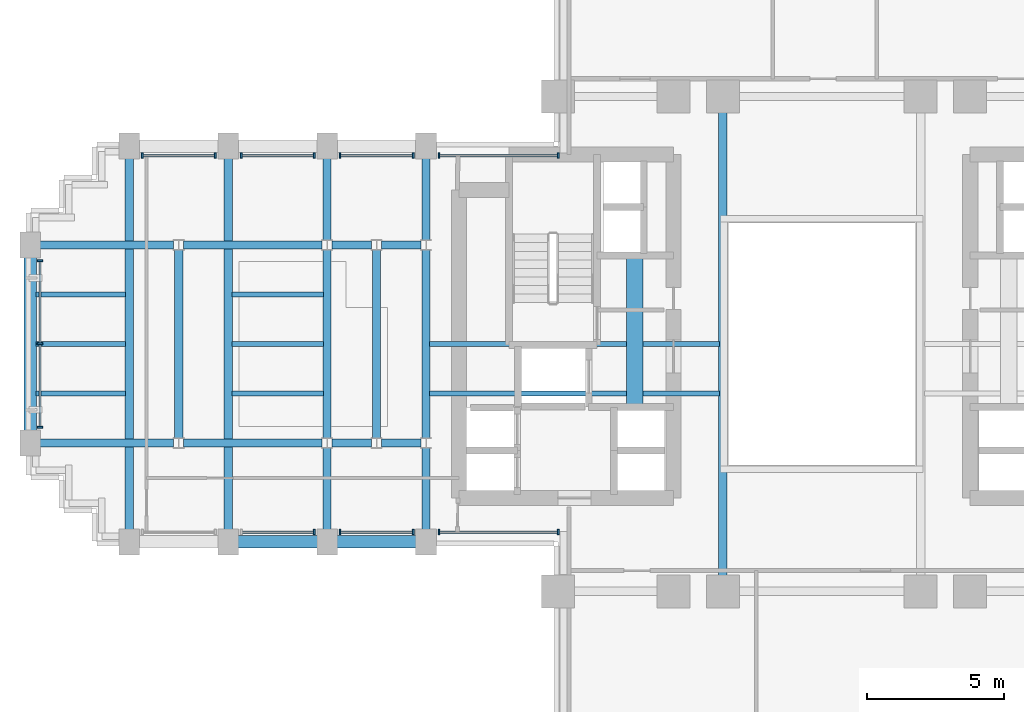
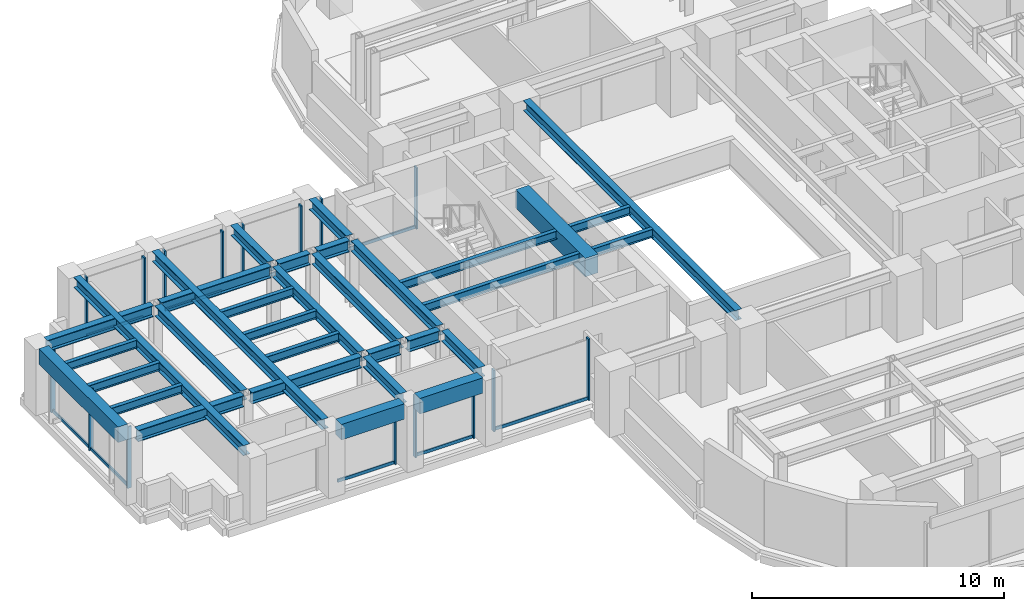
# One storey, part 4 of 16: 31 beams, 25 members, 8 elements without a shape of their own.
"""IFC4 building model written with IfcOpenShell, lengths in metres."""

from ifc_helpers import new_model, si_unit, direction, frame, origin, origin_2d, place, context, subcontext, project, spatial, rectangle, i_section, extrude, source, transform, mapped, material, material_profile, profile_set, type_object, element, aggregate, save


model = new_model("IFC4")

# Units and contexts
model_context = context("Model", 3, precision=1e-05, world=origin(), true_north=direction((0.0, 1.0)))
body_context = subcontext(model_context, "Body", "Model", "MODEL_VIEW")
ifc_project = project(units=[si_unit("LENGTHUNIT", "METRE"), si_unit("AREAUNIT", "SQUARE_METRE"), si_unit("VOLUMEUNIT", "CUBIC_METRE"), si_unit("PLANEANGLEUNIT", "RADIAN"), si_unit("MASSUNIT", "GRAM", prefix="KILO")], contexts=[model_context])

# Site, building, storey
site_placement = place(None, origin())
site = spatial("IfcSite", under=ifc_project, at=site_placement, CompositionType="ELEMENT")
building_placement = place(site_placement, origin())
building = spatial("IfcBuilding", under=site, at=building_placement, Name="Keilestroom Media Tower", CompositionType="ELEMENT")
storey_placement = place(building_placement, frame((0.0, 0.0, 30.60009765625)))
storey = spatial("IfcBuildingStorey", under=building, at=storey_placement, Name="L06", CompositionType="ELEMENT", Elevation=30.60009765625)

# Beams
ifc_material_1 = material(Name="Concrete C70/85", Category="concrete")
ifc_material_profile_1 = material_profile(ifc_material_1, rectangle(XDim=0.60009765625, YDim=0.89990234375, at=origin_2d()), Name="RC 600x900")
ifc_profile_set_1 = profile_set([ifc_material_profile_1], Name="Concrete C70/85")
beam_type_1 = type_object("IfcBeamType", Name="Core-Coupling-Lintel-Beam-RC-600x900", PredefinedType="LINTEL", material=ifc_profile_set_1)
shared_shape_1 = source(origin(), body_context, "Body", "SweptSolid", [
    extrude(rectangle(XDim=0.60009765625, YDim=0.89990234375, at=origin_2d()), origin(), (0.0, 0.0, 1.0), 5.52001953125),
])
beam_1_placement = place(storey_placement, frame((-6.800048828125, -2.300048828125, 2.75), z_axis=(0.0, 1.0, 0.0), x_axis=(-1.0, 0.0, 0.0)))
element("IfcBeam", 1, at=beam_1_placement, inside=storey, type_object=beam_type_1, Name="L06 Beam CLB-1 CLB-L06-W", PredefinedType="LINTEL", context=body_context, shape_type="MappedRepresentation", body=[
    mapped(shared_shape_1, transform((0.0, 0.0, 0.0), x_axis=(1.0, 0.0, 0.0), y_axis=(0.0, 1.0, 0.0), z_axis=(0.0, 0.0, 1.0), scale=1.0)),
])
ifc_material_2 = material(Name="Precast concrete C40/50", Category="concrete")
ifc_material_profile_2 = material_profile(ifc_material_2, rectangle(XDim=0.449951171875, YDim=0.75, at=origin_2d()), Name="PC 450x750")
ifc_profile_set_2 = profile_set([ifc_material_profile_2], Name="Precast concrete C40/50")
beam_type_2 = type_object("IfcBeamType", Name="Perimeter-Spandrel-Beam-PC-450x750", PredefinedType="SPANDREL", material=ifc_profile_set_2)
shared_shape_2 = source(origin(), body_context, "Body", "SweptSolid", [
    extrude(rectangle(XDim=0.449951171875, YDim=0.75, at=origin_2d()), origin(), (0.0, 0.0, 1.0), 6.2900390625),
])
beam_2_placement = place(storey_placement, frame((-28.800048828125, -3.14501953125, 2.824951171875), z_axis=(0.0, 1.0, 0.0), x_axis=(-1.0, 0.0, 0.0)))
element("IfcBeam", 2, at=beam_2_placement, inside=storey, type_object=beam_type_2, Name="L06 Beam SPB-1 BM-L06-NS-051", PredefinedType="SPANDREL", context=body_context, shape_type="MappedRepresentation", body=[
    mapped(shared_shape_2, transform((0.0, 0.0, 0.0), x_axis=(1.0, 0.0, 0.0), y_axis=(0.0, 1.0, 0.0), z_axis=(0.0, 0.0, 1.0), scale=1.0)),
])
shared_shape_3 = source(origin(), body_context, "Body", "SweptSolid", [
    extrude(rectangle(XDim=0.449951171875, YDim=0.75, at=origin_2d()), origin(), (0.0, 0.0, 1.0), 2.89013671875),
])
for number, where, z_axis, x_axis, name in (
    (3, (-21.2451171875, -7.199951171875, 2.824951171875), (1.0, 0.0, 0.0), (0.0, 1.0, 0.0), "L06 Beam SPB-1 BM-L06-EW-013"),
    (4, (-17.64501953125, -7.199951171875, 2.824951171875), (1.0, 0.0, 0.0), (0.0, 1.0, 0.0), "L06 Beam SPB-1 BM-L06-EW-014"),
):
    element("IfcBeam", number, at=place(storey_placement, frame(where, z_axis=z_axis, x_axis=x_axis)), inside=storey, type_object=beam_type_2, Name=name, PredefinedType="SPANDREL", context=body_context, shape_type="MappedRepresentation", body=[
        mapped(shared_shape_3, transform((0.0, 0.0, 0.0), x_axis=(1.0, 0.0, 0.0), y_axis=(0.0, 1.0, 0.0), z_axis=(0.0, 0.0, 1.0), scale=1.0)),
    ])
ifc_material_3 = material(Name="Steel S355", Category="steel")
ifc_material_profile_3 = material_profile(ifc_material_3, i_section(OverallWidth=0.300048828125, OverallDepth=0.550048828125, WebThickness=0.012939453125, FlangeThickness=0.029052734375, at=origin_2d()), Name="HEB 550")
ifc_profile_set_3 = profile_set([ifc_material_profile_3], Name="Steel S355")
beam_type_3 = type_object("IfcBeamType", Name="Primary-Structural-Girder-HEB-550", PredefinedType="BEAM", material=ifc_profile_set_3)
shared_shape_4 = source(origin(), body_context, "Body", "SweptSolid", [
    extrude(i_section(OverallWidth=0.300048828125, OverallDepth=0.550048828125, WebThickness=0.012939453125, FlangeThickness=0.029052734375, at=origin_2d()), origin(), (0.0, 0.0, 1.0), 4.863037109375),
])
for number, where, z_axis, x_axis, name in (
    (5, (-28.445068359375, -3.60009765625, 2.9248046875), (1.0, 0.0, 0.0), (0.0, 1.0, 0.0), "L06 Beam BG-5 BM-L06-EW-018"),
    (6, (-28.445068359375, 3.60009765625, 2.9248046875), (1.0, 0.0, 0.0), (0.0, 1.0, 0.0), "L06 Beam BG-5 BM-L06-EW-026"),
):
    element("IfcBeam", number, at=place(storey_placement, frame(where, z_axis=z_axis, x_axis=x_axis)), inside=storey, type_object=beam_type_3, Name=name, PredefinedType="BEAM", context=body_context, shape_type="MappedRepresentation", body=[
        mapped(shared_shape_4, transform((0.0, 0.0, 0.0), x_axis=(1.0, 0.0, 0.0), y_axis=(0.0, 1.0, 0.0), z_axis=(0.0, 0.0, 1.0), scale=1.0)),
    ])
shared_shape_5 = source(origin(), body_context, "Body", "SweptSolid", [
    extrude(i_section(OverallWidth=0.300048828125, OverallDepth=0.550048828125, WebThickness=0.012939453125, FlangeThickness=0.029052734375, at=origin_2d()), origin(), (0.0, 0.0, 1.0), 5.0361328125),
])
for number, where, z_axis, x_axis, name in (
    (7, (-23.218017578125, -3.60009765625, 2.9248046875), (1.0, 0.0, 0.0), (0.0, 1.0, 0.0), "L06 Beam BG-5 BM-L06-EW-019"),
    (8, (-23.218017578125, 3.60009765625, 2.9248046875), (1.0, 0.0, 0.0), (0.0, 1.0, 0.0), "L06 Beam BG-5 BM-L06-EW-027"),
):
    element("IfcBeam", number, at=place(storey_placement, frame(where, z_axis=z_axis, x_axis=x_axis)), inside=storey, type_object=beam_type_3, Name=name, PredefinedType="BEAM", context=body_context, shape_type="MappedRepresentation", body=[
        mapped(shared_shape_5, transform((0.0, 0.0, 0.0), x_axis=(1.0, 0.0, 0.0), y_axis=(0.0, 1.0, 0.0), z_axis=(0.0, 0.0, 1.0), scale=1.0)),
    ])
shared_shape_6 = source(origin(), body_context, "Body", "SweptSolid", [
    extrude(i_section(OverallWidth=0.300048828125, OverallDepth=0.550048828125, WebThickness=0.012939453125, FlangeThickness=0.029052734375, at=origin_2d()), origin(), (0.0, 0.0, 1.0), 1.43603515625),
])
for number, where, z_axis, x_axis, name in (
    (9, (-17.818115234375, -3.60009765625, 2.9248046875), (1.0, 0.0, 0.0), (0.0, 1.0, 0.0), "L06 Beam BG-5 BM-L06-EW-020"),
    (10, (-16.01806640625, -3.60009765625, 2.9248046875), (1.0, 0.0, 0.0), (0.0, 1.0, 0.0), "L06 Beam BG-5 BM-L06-EW-021"),
    (11, (-17.818115234375, 3.60009765625, 2.9248046875), (1.0, 0.0, 0.0), (0.0, 1.0, 0.0), "L06 Beam BG-5 BM-L06-EW-028"),
    (12, (-16.01806640625, 3.60009765625, 2.9248046875), (1.0, 0.0, 0.0), (0.0, 1.0, 0.0), "L06 Beam BG-5 BM-L06-EW-029"),
):
    element("IfcBeam", number, at=place(storey_placement, frame(where, z_axis=z_axis, x_axis=x_axis)), inside=storey, type_object=beam_type_3, Name=name, PredefinedType="BEAM", context=body_context, shape_type="MappedRepresentation", body=[
        mapped(shared_shape_6, transform((0.0, 0.0, 0.0), x_axis=(1.0, 0.0, 0.0), y_axis=(0.0, 1.0, 0.0), z_axis=(0.0, 0.0, 1.0), scale=1.0)),
    ])
ifc_material_profile_4 = material_profile(ifc_material_3, i_section(OverallWidth=0.300048828125, OverallDepth=0.5, WebThickness=0.012451171875, FlangeThickness=0.028076171875, at=origin_2d()), Name="HEB 500")
ifc_profile_set_4 = profile_set([ifc_material_profile_4], Name="Steel S355")
beam_type_4 = type_object("IfcBeamType", Name="Primary-Structural-Girder-HEB-500", PredefinedType="BEAM", material=ifc_profile_set_4)
shared_shape_7 = source(origin(), body_context, "Body", "SweptSolid", [
    extrude(i_section(OverallWidth=0.300048828125, OverallDepth=0.5, WebThickness=0.012451171875, FlangeThickness=0.028076171875, at=origin_2d()), origin(), (0.0, 0.0, 1.0), 13.490234375),
])
for number, where, z_axis, x_axis, name in (
    (13, (-25.199951171875, -6.7451171875, 2.949951171875), (0.0, 1.0, 0.0), (-1.0, 0.0, 0.0), "L06 Beam BG-6 BM-L06-NS-052"),
    (14, (-21.60009765625, -6.7451171875, 2.949951171875), (0.0, 1.0, 0.0), (-1.0, 0.0, 0.0), "L06 Beam BG-6 BM-L06-NS-054"),
):
    element("IfcBeam", number, at=place(storey_placement, frame(where, z_axis=z_axis, x_axis=x_axis)), inside=storey, type_object=beam_type_4, Name=name, PredefinedType="BEAM", context=body_context, shape_type="MappedRepresentation", body=[
        mapped(shared_shape_7, transform((0.0, 0.0, 0.0), x_axis=(1.0, 0.0, 0.0), y_axis=(0.0, 1.0, 0.0), z_axis=(0.0, 0.0, 1.0), scale=1.0)),
    ])
shared_shape_8 = source(origin(), body_context, "Body", "SweptSolid", [
    extrude(i_section(OverallWidth=0.300048828125, OverallDepth=0.5, WebThickness=0.012451171875, FlangeThickness=0.028076171875, at=origin_2d()), origin(), (0.0, 0.0, 1.0), 6.8330078125),
])
for number, where, z_axis, x_axis, name in (
    (15, (-23.39990234375, -3.41650390625, 2.949951171875), (0.0, 1.0, 0.0), (-1.0, 0.0, 0.0), "L06 Beam BG-6 BM-L06-NS-053"),
    (16, (-18.0, -3.41650390625, 2.949951171875), (0.0, 1.0, 0.0), (-1.0, 0.0, 0.0), "L06 Beam BG-6 BM-L06-NS-056"),
    (17, (-16.199951171875, -3.41650390625, 2.949951171875), (0.0, 1.0, 0.0), (-1.0, 0.0, 0.0), "L06 Beam BG-6 BM-L06-NS-058"),
    (18, (-14.39990234375, -3.41650390625, 2.949951171875), (0.0, 1.0, 0.0), (-1.0, 0.0, 0.0), "L06 Beam BG-6 BM-L06-NS-060"),
):
    element("IfcBeam", number, at=place(storey_placement, frame(where, z_axis=z_axis, x_axis=x_axis)), inside=storey, type_object=beam_type_4, Name=name, PredefinedType="BEAM", context=body_context, shape_type="MappedRepresentation", body=[
        mapped(shared_shape_8, transform((0.0, 0.0, 0.0), x_axis=(1.0, 0.0, 0.0), y_axis=(0.0, 1.0, 0.0), z_axis=(0.0, 0.0, 1.0), scale=1.0)),
    ])
shared_shape_9 = source(origin(), body_context, "Body", "SweptSolid", [
    extrude(i_section(OverallWidth=0.300048828125, OverallDepth=0.5, WebThickness=0.012451171875, FlangeThickness=0.028076171875, at=origin_2d()), origin(), (0.0, 0.0, 1.0), 2.961669921875),
])
for number, where, z_axis, x_axis, name in (
    (19, (-18.0, -6.7451171875, 2.949951171875), (0.0, 1.0, 0.0), (-1.0, 0.0, 0.0), "L06 Beam BG-6 BM-L06-NS-055"),
    (20, (-18.0, 3.783447265625, 2.949951171875), (0.0, 1.0, 0.0), (-1.0, 0.0, 0.0), "L06 Beam BG-6 BM-L06-NS-057"),
    (21, (-14.39990234375, -6.7451171875, 2.949951171875), (0.0, 1.0, 0.0), (-1.0, 0.0, 0.0), "L06 Beam BG-6 BM-L06-NS-059"),
    (22, (-14.39990234375, 3.783447265625, 2.949951171875), (0.0, 1.0, 0.0), (-1.0, 0.0, 0.0), "L06 Beam BG-6 BM-L06-NS-061"),
):
    element("IfcBeam", number, at=place(storey_placement, frame(where, z_axis=z_axis, x_axis=x_axis)), inside=storey, type_object=beam_type_4, Name=name, PredefinedType="BEAM", context=body_context, shape_type="MappedRepresentation", body=[
        mapped(shared_shape_9, transform((0.0, 0.0, 0.0), x_axis=(1.0, 0.0, 0.0), y_axis=(0.0, 1.0, 0.0), z_axis=(0.0, 0.0, 1.0), scale=1.0)),
    ])
shared_shape_10 = source(origin(), body_context, "Body", "SweptSolid", [
    extrude(i_section(OverallWidth=0.300048828125, OverallDepth=0.5, WebThickness=0.012451171875, FlangeThickness=0.028076171875, at=origin_2d()), origin(), (0.0, 0.0, 1.0), 16.83984375),
])
beam_3_placement = place(storey_placement, frame((-3.60009765625, -8.419921875, 2.949951171875), z_axis=(0.0, 1.0, 0.0), x_axis=(-1.0, 0.0, 0.0)))
element("IfcBeam", 23, at=beam_3_placement, inside=storey, type_object=beam_type_4, Name="L06 Beam BG-6 BM-L06-NS-066", PredefinedType="BEAM", context=body_context, shape_type="MappedRepresentation", body=[
    mapped(shared_shape_10, transform((0.0, 0.0, 0.0), x_axis=(1.0, 0.0, 0.0), y_axis=(0.0, 1.0, 0.0), z_axis=(0.0, 0.0, 1.0), scale=1.0)),
])
ifc_material_profile_5 = material_profile(ifc_material_3, i_section(OverallWidth=0.179931640625, OverallDepth=0.39990234375, WebThickness=0.008544921875, FlangeThickness=0.013427734375, at=origin_2d()), Name="IPE 400")
ifc_profile_set_5 = profile_set([ifc_material_profile_5], Name="Steel S355")
beam_type_5 = type_object("IfcBeamType", Name="Secondary-Floor-Joist-IPE-400", PredefinedType="JOIST", material=ifc_profile_set_5)
shared_shape_11 = source(origin(), body_context, "Body", "SweptSolid", [
    extrude(i_section(OverallWidth=0.179931640625, OverallDepth=0.39990234375, WebThickness=0.008544921875, FlangeThickness=0.013427734375, at=origin_2d()), origin(), (0.0, 0.0, 1.0), 3.264892578125),
])
for number, where, z_axis, x_axis, name in (
    (24, (-28.594970703125, -1.800048828125, 3.0), (1.0, 0.0, 0.0), (0.0, 1.0, 0.0), "L06 Beam BJ-4 JST-L06-089"),
    (25, (-28.594970703125, 0.0, 3.0), (1.0, 0.0, 0.0), (0.0, 1.0, 0.0), "L06 Beam BJ-4 JST-L06-096"),
    (26, (-28.594970703125, 1.800048828125, 3.0), (1.0, 0.0, 0.0), (0.0, 1.0, 0.0), "L06 Beam BJ-4 JST-L06-103"),
):
    element("IfcBeam", number, at=place(storey_placement, frame(where, z_axis=z_axis, x_axis=x_axis)), inside=storey, type_object=beam_type_5, Name=name, PredefinedType="JOIST", context=body_context, shape_type="MappedRepresentation", body=[
        mapped(shared_shape_11, transform((0.0, 0.0, 0.0), x_axis=(1.0, 0.0, 0.0), y_axis=(0.0, 1.0, 0.0), z_axis=(0.0, 0.0, 1.0), scale=1.0)),
    ])
shared_shape_12 = source(origin(), body_context, "Body", "SweptSolid", [
    extrude(i_section(OverallWidth=0.179931640625, OverallDepth=0.39990234375, WebThickness=0.008544921875, FlangeThickness=0.013427734375, at=origin_2d()), origin(), (0.0, 0.0, 1.0), 3.340087890625),
])
for number, where, z_axis, x_axis, name in (
    (27, (-21.469970703125, -1.800048828125, 3.0), (1.0, 0.0, 0.0), (0.0, 1.0, 0.0), "L06 Beam BJ-4 JST-L06-090"),
    (28, (-21.469970703125, 0.0, 3.0), (1.0, 0.0, 0.0), (0.0, 1.0, 0.0), "L06 Beam BJ-4 JST-L06-097"),
    (29, (-21.469970703125, 1.800048828125, 3.0), (1.0, 0.0, 0.0), (0.0, 1.0, 0.0), "L06 Beam BJ-4 JST-L06-104"),
):
    element("IfcBeam", number, at=place(storey_placement, frame(where, z_axis=z_axis, x_axis=x_axis)), inside=storey, type_object=beam_type_5, Name=name, PredefinedType="JOIST", context=body_context, shape_type="MappedRepresentation", body=[
        mapped(shared_shape_12, transform((0.0, 0.0, 0.0), x_axis=(1.0, 0.0, 0.0), y_axis=(0.0, 1.0, 0.0), z_axis=(0.0, 0.0, 1.0), scale=1.0)),
    ])
shared_shape_13 = source(origin(), body_context, "Body", "SweptSolid", [
    extrude(i_section(OverallWidth=0.179931640625, OverallDepth=0.39990234375, WebThickness=0.008544921875, FlangeThickness=0.013427734375, at=origin_2d()), origin(), (0.0, 0.0, 1.0), 10.5400390625),
])
for number, where, z_axis, x_axis, name in (
    (30, (-14.27001953125, -1.800048828125, 3.0), (1.0, 0.0, 0.0), (0.0, 1.0, 0.0), "L06 Beam BJ-4 JST-L06-091"),
    (31, (-14.27001953125, 0.0, 3.0), (1.0, 0.0, 0.0), (0.0, 1.0, 0.0), "L06 Beam BJ-4 JST-L06-098"),
):
    element("IfcBeam", number, at=place(storey_placement, frame(where, z_axis=z_axis, x_axis=x_axis)), inside=storey, type_object=beam_type_5, Name=name, PredefinedType="JOIST", context=body_context, shape_type="MappedRepresentation", body=[
        mapped(shared_shape_13, transform((0.0, 0.0, 0.0), x_axis=(1.0, 0.0, 0.0), y_axis=(0.0, 1.0, 0.0), z_axis=(0.0, 0.0, 1.0), scale=1.0)),
    ])

# Curtain wall, members
ifc_material_4 = material(Name="Anodised Aluminium Alloy", Category="aluminium")
curtain_wall_type = type_object("IfcCurtainWallType", Name="Unitised-Curtain-Wall-CW-1", PredefinedType="NOTDEFINED", material=ifc_material_4)
curtain_wall_1_placement = place(storey_placement, origin())
curtain_wall_1 = element("IfcCurtainWall", 32, at=curtain_wall_1_placement, inside=storey, type_object=curtain_wall_type, Name="L06 Curtain Wall CW-1 CW-L06-W-1", PredefinedType="NOTDEFINED")
ifc_material_profile_6 = material_profile(ifc_material_4, rectangle(XDim=0.070068359375, YDim=0.199951171875, at=origin_2d()), Name="ALU MULLION 70x200")
ifc_profile_set_6 = profile_set([ifc_material_profile_6], Name="Anodised Aluminium Alloy")
member_type_1 = type_object("IfcMemberType", Name="Curtain-Wall-Mullion-CW-1", PredefinedType="MULLION", material=ifc_profile_set_6)
shared_shape_14 = source(origin(), body_context, "Body", "SweptSolid", [
    extrude(rectangle(XDim=0.070068359375, YDim=0.199951171875, at=origin_2d()), origin(), (0.0, 0.0, 1.0), 2.97998046875),
])
member_1_placement = place(storey_placement, frame((-28.449951171875, -3.030029296875, 0.0), z_axis=(0.0, 0.0, 1.0), x_axis=(0.0, 1.0, 0.0)))
member_1 = element("IfcMember", 33, at=member_1_placement, type_object=member_type_1, Name="CW-1 Mullion 00", PredefinedType="MULLION", context=body_context, shape_type="MappedRepresentation", body=[
    mapped(shared_shape_14, transform((0.0, 0.0, 0.0), x_axis=(1.0, 0.0, 0.0), y_axis=(0.0, 1.0, 0.0), z_axis=(0.0, 0.0, 1.0), scale=1.0)),
])
member_2_placement = place(storey_placement, frame((-28.449951171875, 0.0, 0.0), z_axis=(0.0, 0.0, 1.0), x_axis=(0.0, 1.0, 0.0)))
member_2 = element("IfcMember", 34, at=member_2_placement, type_object=member_type_1, Name="CW-1 Mullion 01", PredefinedType="MULLION", context=body_context, shape_type="MappedRepresentation", body=[
    mapped(shared_shape_14, transform((0.0, 0.0, 0.0), x_axis=(1.0, 0.0, 0.0), y_axis=(0.0, 1.0, 0.0), z_axis=(0.0, 0.0, 1.0), scale=1.0)),
])
member_3_placement = place(storey_placement, frame((-28.449951171875, 3.030029296875, 0.0), z_axis=(0.0, 0.0, 1.0), x_axis=(0.0, 1.0, 0.0)))
member_3 = element("IfcMember", 35, at=member_3_placement, type_object=member_type_1, Name="CW-1 Mullion 02", PredefinedType="MULLION", context=body_context, shape_type="MappedRepresentation", body=[
    mapped(shared_shape_14, transform((0.0, 0.0, 0.0), x_axis=(1.0, 0.0, 0.0), y_axis=(0.0, 1.0, 0.0), z_axis=(0.0, 0.0, 1.0), scale=1.0)),
])

curtain_wall_2_placement = place(storey_placement, origin())
curtain_wall_2 = element("IfcCurtainWall", 36, at=curtain_wall_2_placement, inside=storey, type_object=curtain_wall_type, Name="L06 Curtain Wall CW-1 CW-L06-NW-1", PredefinedType="NOTDEFINED")
member_4_placement = place(storey_placement, frame((-24.72998046875, 6.85009765625, 0.0), z_axis=(0.0, 0.0, 1.0), x_axis=(1.0, 0.0, 0.0)))
member_4 = element("IfcMember", 37, at=member_4_placement, type_object=member_type_1, Name="CW-1 Mullion 00", PredefinedType="MULLION", context=body_context, shape_type="MappedRepresentation", body=[
    mapped(shared_shape_14, transform((0.0, 0.0, 0.0), x_axis=(1.0, 0.0, 0.0), y_axis=(0.0, 1.0, 0.0), z_axis=(0.0, 0.0, 1.0), scale=1.0)),
])
member_5_placement = place(storey_placement, frame((-22.070068359375, 6.85009765625, 0.0), z_axis=(0.0, 0.0, 1.0), x_axis=(1.0, 0.0, 0.0)))
member_5 = element("IfcMember", 38, at=member_5_placement, type_object=member_type_1, Name="CW-1 Mullion 01", PredefinedType="MULLION", context=body_context, shape_type="MappedRepresentation", body=[
    mapped(shared_shape_14, transform((0.0, 0.0, 0.0), x_axis=(1.0, 0.0, 0.0), y_axis=(0.0, 1.0, 0.0), z_axis=(0.0, 0.0, 1.0), scale=1.0)),
])

curtain_wall_3_placement = place(storey_placement, origin())
curtain_wall_3 = element("IfcCurtainWall", 39, at=curtain_wall_3_placement, inside=storey, type_object=curtain_wall_type, Name="L06 Curtain Wall CW-1 CW-L06-NW-2", PredefinedType="NOTDEFINED")
member_6_placement = place(storey_placement, frame((-21.1298828125, 6.85009765625, 0.0), z_axis=(0.0, 0.0, 1.0), x_axis=(1.0, 0.0, 0.0)))
member_6 = element("IfcMember", 40, at=member_6_placement, type_object=member_type_1, Name="CW-1 Mullion 00", PredefinedType="MULLION", context=body_context, shape_type="MappedRepresentation", body=[
    mapped(shared_shape_14, transform((0.0, 0.0, 0.0), x_axis=(1.0, 0.0, 0.0), y_axis=(0.0, 1.0, 0.0), z_axis=(0.0, 0.0, 1.0), scale=1.0)),
])
member_7_placement = place(storey_placement, frame((-18.469970703125, 6.85009765625, 0.0), z_axis=(0.0, 0.0, 1.0), x_axis=(1.0, 0.0, 0.0)))
member_7 = element("IfcMember", 41, at=member_7_placement, type_object=member_type_1, Name="CW-1 Mullion 01", PredefinedType="MULLION", context=body_context, shape_type="MappedRepresentation", body=[
    mapped(shared_shape_14, transform((0.0, 0.0, 0.0), x_axis=(1.0, 0.0, 0.0), y_axis=(0.0, 1.0, 0.0), z_axis=(0.0, 0.0, 1.0), scale=1.0)),
])

curtain_wall_4_placement = place(storey_placement, origin())
curtain_wall_4 = element("IfcCurtainWall", 42, at=curtain_wall_4_placement, inside=storey, type_object=curtain_wall_type, Name="L06 Curtain Wall CW-1 CW-L06-NW-3", PredefinedType="NOTDEFINED")
member_8_placement = place(storey_placement, frame((-17.530029296875, 6.85009765625, 0.0), z_axis=(0.0, 0.0, 1.0), x_axis=(1.0, 0.0, 0.0)))
member_8 = element("IfcMember", 43, at=member_8_placement, type_object=member_type_1, Name="CW-1 Mullion 00", PredefinedType="MULLION", context=body_context, shape_type="MappedRepresentation", body=[
    mapped(shared_shape_14, transform((0.0, 0.0, 0.0), x_axis=(1.0, 0.0, 0.0), y_axis=(0.0, 1.0, 0.0), z_axis=(0.0, 0.0, 1.0), scale=1.0)),
])
member_9_placement = place(storey_placement, frame((-14.8701171875, 6.85009765625, 0.0), z_axis=(0.0, 0.0, 1.0), x_axis=(1.0, 0.0, 0.0)))
member_9 = element("IfcMember", 44, at=member_9_placement, type_object=member_type_1, Name="CW-1 Mullion 01", PredefinedType="MULLION", context=body_context, shape_type="MappedRepresentation", body=[
    mapped(shared_shape_14, transform((0.0, 0.0, 0.0), x_axis=(1.0, 0.0, 0.0), y_axis=(0.0, 1.0, 0.0), z_axis=(0.0, 0.0, 1.0), scale=1.0)),
])

curtain_wall_5_placement = place(storey_placement, origin())
curtain_wall_5 = element("IfcCurtainWall", 45, at=curtain_wall_5_placement, inside=storey, type_object=curtain_wall_type, Name="L06 Curtain Wall CW-1 CW-L06-NW-4", PredefinedType="NOTDEFINED")
member_10_placement = place(storey_placement, frame((-13.929931640625, 6.85009765625, 0.0), z_axis=(0.0, 0.0, 1.0), x_axis=(1.0, 0.0, 0.0)))
member_10 = element("IfcMember", 46, at=member_10_placement, type_object=member_type_1, Name="CW-1 Mullion 00", PredefinedType="MULLION", context=body_context, shape_type="MappedRepresentation", body=[
    mapped(shared_shape_14, transform((0.0, 0.0, 0.0), x_axis=(1.0, 0.0, 0.0), y_axis=(0.0, 1.0, 0.0), z_axis=(0.0, 0.0, 1.0), scale=1.0)),
])
member_11_placement = place(storey_placement, frame((-9.5849609375, 6.85009765625, 0.0), z_axis=(0.0, 0.0, 1.0), x_axis=(1.0, 0.0, 0.0)))
member_11 = element("IfcMember", 47, at=member_11_placement, type_object=member_type_1, Name="CW-1 Mullion 01", PredefinedType="MULLION", context=body_context, shape_type="MappedRepresentation", body=[
    mapped(shared_shape_14, transform((0.0, 0.0, 0.0), x_axis=(1.0, 0.0, 0.0), y_axis=(0.0, 1.0, 0.0), z_axis=(0.0, 0.0, 1.0), scale=1.0)),
])

# Curtain wall, member
curtain_wall_6_placement = place(storey_placement, origin())
curtain_wall_6 = element("IfcCurtainWall", 48, at=curtain_wall_6_placement, inside=storey, type_object=curtain_wall_type, Name="L06 Curtain Wall CW-1 CW-L06-SW-2", PredefinedType="NOTDEFINED")
member_12_placement = place(storey_placement, frame((-18.469970703125, -6.85009765625, 0.0), z_axis=(0.0, 0.0, 1.0), x_axis=(1.0, 0.0, 0.0)))
member_12 = element("IfcMember", 49, at=member_12_placement, type_object=member_type_1, Name="CW-1 Mullion 01", PredefinedType="MULLION", context=body_context, shape_type="MappedRepresentation", body=[
    mapped(shared_shape_14, transform((0.0, 0.0, 0.0), x_axis=(1.0, 0.0, 0.0), y_axis=(0.0, 1.0, 0.0), z_axis=(0.0, 0.0, 1.0), scale=1.0)),
])

# Curtain wall, members
curtain_wall_7_placement = place(storey_placement, origin())
curtain_wall_7 = element("IfcCurtainWall", 50, at=curtain_wall_7_placement, inside=storey, type_object=curtain_wall_type, Name="L06 Curtain Wall CW-1 CW-L06-SW-3", PredefinedType="NOTDEFINED")
member_13_placement = place(storey_placement, frame((-17.530029296875, -6.85009765625, 0.0), z_axis=(0.0, 0.0, 1.0), x_axis=(1.0, 0.0, 0.0)))
member_13 = element("IfcMember", 51, at=member_13_placement, type_object=member_type_1, Name="CW-1 Mullion 00", PredefinedType="MULLION", context=body_context, shape_type="MappedRepresentation", body=[
    mapped(shared_shape_14, transform((0.0, 0.0, 0.0), x_axis=(1.0, 0.0, 0.0), y_axis=(0.0, 1.0, 0.0), z_axis=(0.0, 0.0, 1.0), scale=1.0)),
])
member_14_placement = place(storey_placement, frame((-14.8701171875, -6.85009765625, 0.0), z_axis=(0.0, 0.0, 1.0), x_axis=(1.0, 0.0, 0.0)))
member_14 = element("IfcMember", 52, at=member_14_placement, type_object=member_type_1, Name="CW-1 Mullion 01", PredefinedType="MULLION", context=body_context, shape_type="MappedRepresentation", body=[
    mapped(shared_shape_14, transform((0.0, 0.0, 0.0), x_axis=(1.0, 0.0, 0.0), y_axis=(0.0, 1.0, 0.0), z_axis=(0.0, 0.0, 1.0), scale=1.0)),
])

curtain_wall_8_placement = place(storey_placement, origin())
curtain_wall_8 = element("IfcCurtainWall", 53, at=curtain_wall_8_placement, inside=storey, type_object=curtain_wall_type, Name="L06 Curtain Wall CW-1 CW-L06-SW-4", PredefinedType="NOTDEFINED")
member_15_placement = place(storey_placement, frame((-13.929931640625, -6.85009765625, 0.0), z_axis=(0.0, 0.0, 1.0), x_axis=(1.0, 0.0, 0.0)))
member_15 = element("IfcMember", 54, at=member_15_placement, type_object=member_type_1, Name="CW-1 Mullion 00", PredefinedType="MULLION", context=body_context, shape_type="MappedRepresentation", body=[
    mapped(shared_shape_14, transform((0.0, 0.0, 0.0), x_axis=(1.0, 0.0, 0.0), y_axis=(0.0, 1.0, 0.0), z_axis=(0.0, 0.0, 1.0), scale=1.0)),
])
member_16_placement = place(storey_placement, frame((-9.5849609375, -6.85009765625, 0.0), z_axis=(0.0, 0.0, 1.0), x_axis=(1.0, 0.0, 0.0)))
member_16 = element("IfcMember", 55, at=member_16_placement, type_object=member_type_1, Name="CW-1 Mullion 01", PredefinedType="MULLION", context=body_context, shape_type="MappedRepresentation", body=[
    mapped(shared_shape_14, transform((0.0, 0.0, 0.0), x_axis=(1.0, 0.0, 0.0), y_axis=(0.0, 1.0, 0.0), z_axis=(0.0, 0.0, 1.0), scale=1.0)),
])

# Member
ifc_material_profile_7 = material_profile(ifc_material_4, rectangle(XDim=0.06494140625, YDim=0.14990234375, at=origin_2d()), Name="ALU TRANSOM 65x150")
ifc_profile_set_7 = profile_set([ifc_material_profile_7], Name="Anodised Aluminium Alloy")
member_type_2 = type_object("IfcMemberType", Name="Curtain-Wall-Transom-CW-1", PredefinedType="USERDEFINED", material=ifc_profile_set_7)
shared_shape_15 = source(origin(), body_context, "Body", "SweptSolid", [
    extrude(rectangle(XDim=0.06494140625, YDim=0.14990234375, at=origin_2d()), origin(), (0.0, 0.0, 1.0), 2.964111328125),
])
member_17_placement = place(storey_placement, frame((-28.449951171875, -2.9970703125, 0.074951171875), z_axis=(0.0, 1.0, 0.0), x_axis=(-1.0, 0.0, 0.0)))
member_17 = element("IfcMember", 56, at=member_17_placement, type_object=member_type_2, Name="CW-1 Transom 00.1", ObjectType="TRANSOM", PredefinedType="USERDEFINED", context=body_context, shape_type="MappedRepresentation", body=[
    mapped(shared_shape_15, transform((0.0, 0.0, 0.0), x_axis=(1.0, 0.0, 0.0), y_axis=(0.0, 1.0, 0.0), z_axis=(0.0, 0.0, 1.0), scale=1.0)),
])

member_18_placement = place(storey_placement, frame((-28.449951171875, 0.032958984375, 0.074951171875), z_axis=(0.0, 1.0, 0.0), x_axis=(-1.0, 0.0, 0.0)))
member_18 = element("IfcMember", 57, at=member_18_placement, type_object=member_type_2, Name="CW-1 Transom 01.1", ObjectType="TRANSOM", PredefinedType="USERDEFINED", context=body_context, shape_type="MappedRepresentation", body=[
    mapped(shared_shape_15, transform((0.0, 0.0, 0.0), x_axis=(1.0, 0.0, 0.0), y_axis=(0.0, 1.0, 0.0), z_axis=(0.0, 0.0, 1.0), scale=1.0)),
])

aggregate(curtain_wall_1, [member_1, member_2, member_3, member_17, member_18])

shared_shape_16 = source(origin(), body_context, "Body", "SweptSolid", [
    extrude(rectangle(XDim=0.06494140625, YDim=0.14990234375, at=origin_2d()), origin(), (0.0, 0.0, 1.0), 2.593994140625),
])
member_19_placement = place(storey_placement, frame((-24.697021484375, 6.85009765625, 0.074951171875), z_axis=(1.0, 0.0, 0.0), x_axis=(0.0, 1.0, 0.0)))
member_19 = element("IfcMember", 58, at=member_19_placement, type_object=member_type_2, Name="CW-1 Transom 00.1", ObjectType="TRANSOM", PredefinedType="USERDEFINED", context=body_context, shape_type="MappedRepresentation", body=[
    mapped(shared_shape_16, transform((0.0, 0.0, 0.0), x_axis=(1.0, 0.0, 0.0), y_axis=(0.0, 1.0, 0.0), z_axis=(0.0, 0.0, 1.0), scale=1.0)),
])

aggregate(curtain_wall_2, [member_4, member_5, member_19])

member_20_placement = place(storey_placement, frame((-21.096923828125, 6.85009765625, 0.074951171875), z_axis=(1.0, 0.0, 0.0), x_axis=(0.0, 1.0, 0.0)))
member_20 = element("IfcMember", 59, at=member_20_placement, type_object=member_type_2, Name="CW-1 Transom 00.1", ObjectType="TRANSOM", PredefinedType="USERDEFINED", context=body_context, shape_type="MappedRepresentation", body=[
    mapped(shared_shape_16, transform((0.0, 0.0, 0.0), x_axis=(1.0, 0.0, 0.0), y_axis=(0.0, 1.0, 0.0), z_axis=(0.0, 0.0, 1.0), scale=1.0)),
])

aggregate(curtain_wall_3, [member_6, member_7, member_20])

member_21_placement = place(storey_placement, frame((-17.4970703125, 6.85009765625, 0.074951171875), z_axis=(1.0, 0.0, 0.0), x_axis=(0.0, 1.0, 0.0)))
member_21 = element("IfcMember", 60, at=member_21_placement, type_object=member_type_2, Name="CW-1 Transom 00.1", ObjectType="TRANSOM", PredefinedType="USERDEFINED", context=body_context, shape_type="MappedRepresentation", body=[
    mapped(shared_shape_16, transform((0.0, 0.0, 0.0), x_axis=(1.0, 0.0, 0.0), y_axis=(0.0, 1.0, 0.0), z_axis=(0.0, 0.0, 1.0), scale=1.0)),
])

aggregate(curtain_wall_4, [member_8, member_9, member_21])

member_22_placement = place(storey_placement, frame((-21.096923828125, -6.85009765625, 0.074951171875), z_axis=(1.0, 0.0, 0.0), x_axis=(0.0, 1.0, 0.0)))
member_22 = element("IfcMember", 61, at=member_22_placement, type_object=member_type_2, Name="CW-1 Transom 00.1", ObjectType="TRANSOM", PredefinedType="USERDEFINED", context=body_context, shape_type="MappedRepresentation", body=[
    mapped(shared_shape_16, transform((0.0, 0.0, 0.0), x_axis=(1.0, 0.0, 0.0), y_axis=(0.0, 1.0, 0.0), z_axis=(0.0, 0.0, 1.0), scale=1.0)),
])

aggregate(curtain_wall_6, [member_12, member_22])

member_23_placement = place(storey_placement, frame((-17.4970703125, -6.85009765625, 0.074951171875), z_axis=(1.0, 0.0, 0.0), x_axis=(0.0, 1.0, 0.0)))
member_23 = element("IfcMember", 62, at=member_23_placement, type_object=member_type_2, Name="CW-1 Transom 00.1", ObjectType="TRANSOM", PredefinedType="USERDEFINED", context=body_context, shape_type="MappedRepresentation", body=[
    mapped(shared_shape_16, transform((0.0, 0.0, 0.0), x_axis=(1.0, 0.0, 0.0), y_axis=(0.0, 1.0, 0.0), z_axis=(0.0, 0.0, 1.0), scale=1.0)),
])

aggregate(curtain_wall_7, [member_13, member_14, member_23])

shared_shape_17 = source(origin(), body_context, "Body", "SweptSolid", [
    extrude(rectangle(XDim=0.06494140625, YDim=0.14990234375, at=origin_2d()), origin(), (0.0, 0.0, 1.0), 4.279052734375),
])
member_24_placement = place(storey_placement, frame((-13.89697265625, 6.85009765625, 0.074951171875), z_axis=(1.0, 0.0, 0.0), x_axis=(0.0, 1.0, 0.0)))
member_24 = element("IfcMember", 63, at=member_24_placement, type_object=member_type_2, Name="CW-1 Transom 00.1", ObjectType="TRANSOM", PredefinedType="USERDEFINED", context=body_context, shape_type="MappedRepresentation", body=[
    mapped(shared_shape_17, transform((0.0, 0.0, 0.0), x_axis=(1.0, 0.0, 0.0), y_axis=(0.0, 1.0, 0.0), z_axis=(0.0, 0.0, 1.0), scale=1.0)),
])

aggregate(curtain_wall_5, [member_10, member_11, member_24])

member_25_placement = place(storey_placement, frame((-13.89697265625, -6.85009765625, 0.074951171875), z_axis=(1.0, 0.0, 0.0), x_axis=(0.0, 1.0, 0.0)))
member_25 = element("IfcMember", 64, at=member_25_placement, type_object=member_type_2, Name="CW-1 Transom 00.1", ObjectType="TRANSOM", PredefinedType="USERDEFINED", context=body_context, shape_type="MappedRepresentation", body=[
    mapped(shared_shape_17, transform((0.0, 0.0, 0.0), x_axis=(1.0, 0.0, 0.0), y_axis=(0.0, 1.0, 0.0), z_axis=(0.0, 0.0, 1.0), scale=1.0)),
])

aggregate(curtain_wall_8, [member_15, member_16, member_25])

save(model, "model.ifc")
